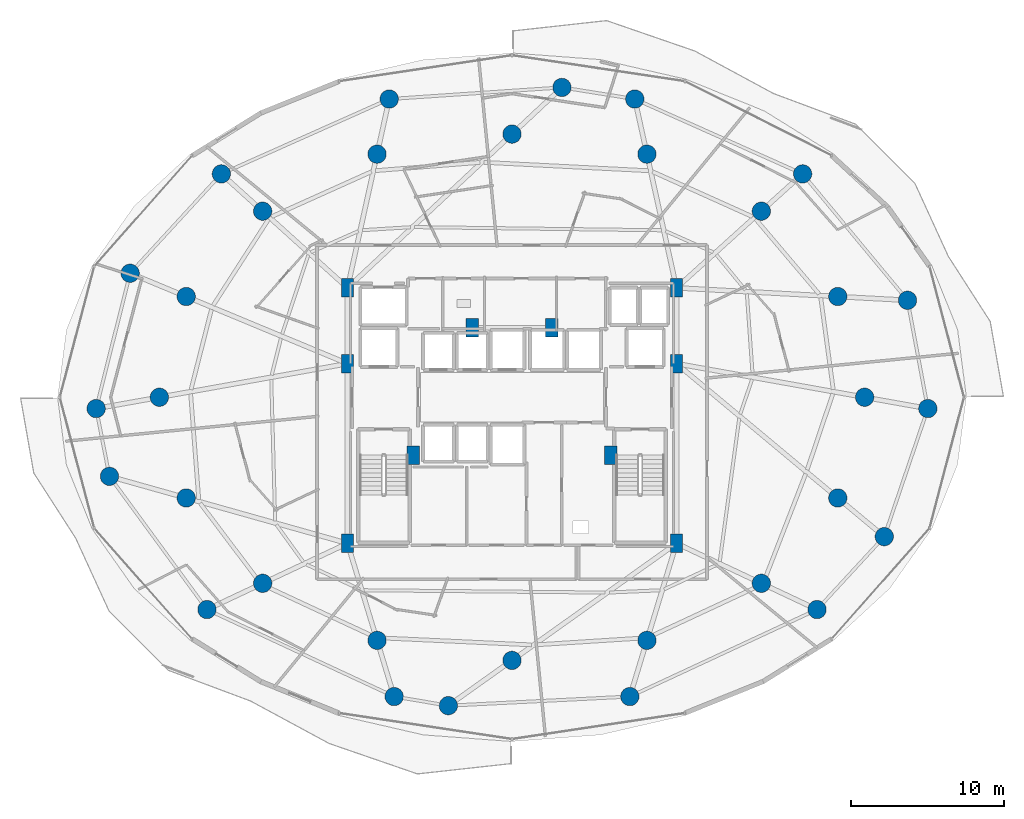
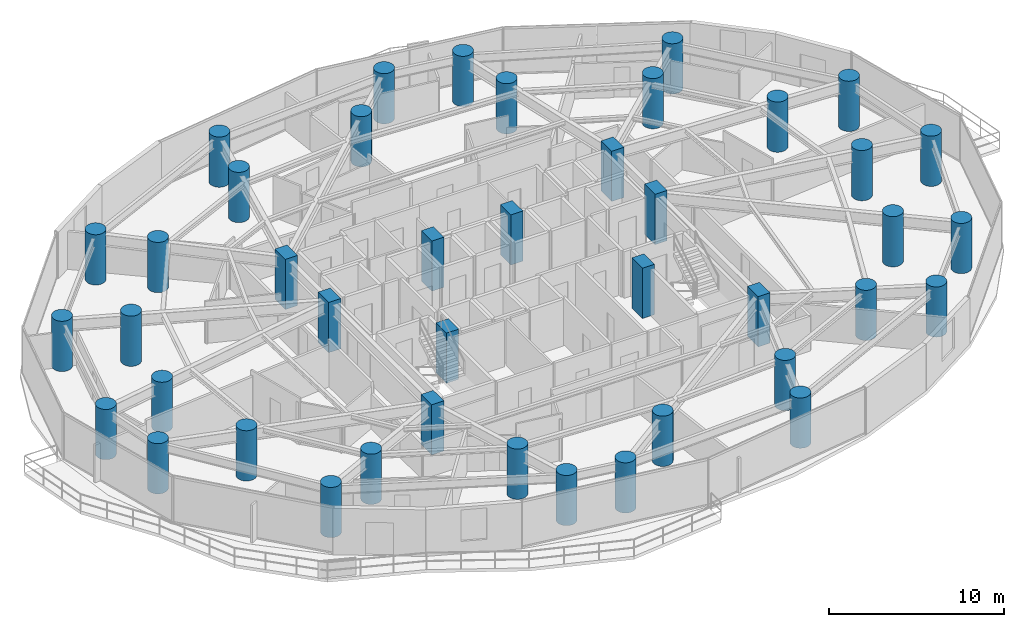
# One storey, part 1 of 33: 42 columns.
"""IFC4 building model written with IfcOpenShell, lengths in metres."""

from ifc_helpers import new_model, si_unit, direction, frame, origin, origin_2d, place, context, subcontext, project, spatial, rectangle, circle, extrude, material, material_profile, profile_set, type_object, element, save


model = new_model("IFC4")

# Units and contexts
model_context = context("Model", 3, precision=1e-05, world=origin(), true_north=direction((0.0, 1.0)))
body_context = subcontext(model_context, "Body", "Model", "MODEL_VIEW")
ifc_project = project(units=[si_unit("LENGTHUNIT", "METRE"), si_unit("AREAUNIT", "SQUARE_METRE"), si_unit("VOLUMEUNIT", "CUBIC_METRE"), si_unit("PLANEANGLEUNIT", "RADIAN"), si_unit("MASSUNIT", "GRAM", prefix="KILO")], contexts=[model_context])

# Site, building, storey
site_placement = place(None, origin())
site = spatial("IfcSite", under=ifc_project, at=site_placement, CompositionType="ELEMENT")
building_placement = place(site_placement, origin())
building = spatial("IfcBuilding", under=site, at=building_placement, Name="Vorneva Point Tower", CompositionType="ELEMENT")
storey_placement = place(building_placement, frame((0.0, 0.0, 59.0)))
storey = spatial("IfcBuildingStorey", under=building, at=storey_placement, Name="L15", CompositionType="ELEMENT", Elevation=59.0)

# Columns
ifc_material = material(Name="Concrete B60 (C50/60)", Category="concrete")
ifc_material_profile_1 = material_profile(ifc_material, circle(Radius=0.60009765625, at=origin_2d()), Name="RC-CIRC 1200")
ifc_profile_set_1 = profile_set([ifc_material_profile_1], Name="Concrete B60 (C50/60)")
column_type_1 = type_object("IfcColumnType", Name="COL-RC1200C", PredefinedType="COLUMN", material=ifc_profile_set_1)
for number, where, z_axis, x_axis, name in (
    (1, (61.050048828125, 26.0, 0.0), (0.0, 0.0, 1.0), (1.0, 0.0, 0.0), "L15 Perimeter Column P01"),
    (2, (59.29541015625, 32.582275390625, 0.0), (0.0, 0.0, 1.0), (0.923879532511, 0.382683432365, 0.0), "L15 Perimeter Column P02"),
    (3, (54.298828125, 38.162109375, 0.0), (0.0, 0.0, 1.0), (0.707106781187, 0.707106781187, 0.0), "L15 Perimeter Column P03"),
    (4, (46.82080078125, 41.890625, 0.0), (0.0, 0.0, 1.0), (0.382683432365, 0.923879532511, 0.0), "L15 Perimeter Column P04"),
    (5, (38.0, 43.199951171875, 0.0), (0.0, 0.0, 1.0), (0.0, 1.0, 0.0), "L15 Perimeter Column P05"),
    (6, (29.17919921875, 41.890625, 0.0), (0.0, 0.0, 1.0), (-0.382683432365, 0.923879532511, 0.0), "L15 Perimeter Column P06"),
    (7, (21.701171875, 38.162109375, 0.0), (0.0, 0.0, 1.0), (-0.707106781187, 0.707106781187, 0.0), "L15 Perimeter Column P07"),
    (8, (16.70458984375, 32.582275390625, 0.0), (0.0, 0.0, 1.0), (-0.923879532511, 0.382683432365, 0.0), "L15 Perimeter Column P08"),
    (9, (14.949951171875, 26.0, 0.0), (0.0, 0.0, 1.0), (-1.0, 0.0, 0.0), "L15 Perimeter Column P09"),
    (10, (16.70458984375, 19.417724609375, 0.0), (0.0, 0.0, 1.0), (-0.923879532511, -0.382683432365, 0.0), "L15 Perimeter Column P10"),
    (11, (21.701171875, 13.837890625, 0.0), (0.0, 0.0, 1.0), (-0.707106781187, -0.707106781187, 0.0), "L15 Perimeter Column P11"),
    (12, (29.17919921875, 10.109375, 0.0), (0.0, 0.0, 1.0), (-0.382683432365, -0.923879532511, 0.0), "L15 Perimeter Column P12"),
    (13, (38.0, 8.800048828125, 0.0), (0.0, 0.0, 1.0), (0.0, -1.0, 0.0), "L15 Perimeter Column P13"),
    (14, (46.82080078125, 10.109375, 0.0), (0.0, 0.0, 1.0), (0.382683432365, -0.923879532511, 0.0), "L15 Perimeter Column P14"),
    (15, (54.298828125, 13.837890625, 0.0), (0.0, 0.0, 1.0), (0.707106781187, -0.707106781187, 0.0), "L15 Perimeter Column P15"),
    (16, (59.29541015625, 19.417724609375, 0.0), (0.0, 0.0, 1.0), (0.923879532511, -0.382683432365, 0.0), "L15 Perimeter Column P16"),
    (17, (65.18212890625, 25.260986328125, 0.0), (0.0, 0.0, 1.0), (1.0, 0.0, 0.0), "L15 Outer Zone Column OP01"),
    (18, (63.8544921875, 32.336669921875, 0.0), (0.0, 0.0, 1.0), (0.923879532511, 0.382683432365, 0.0), "L15 Outer Zone Column OP02"),
    (19, (56.997314453125, 40.599853515625, 0.0), (0.0, 0.0, 1.0), (0.707106781187, 0.707106781187, 0.0), "L15 Outer Zone Column OP03"),
    (20, (46.026123046875, 45.49169921875, 0.0), (0.0, 0.0, 1.0), (0.382683432365, 0.923879532511, 0.0), "L15 Outer Zone Column OP04"),
    (21, (41.26513671875, 46.25244140625, 0.0), (0.0, 0.0, 1.0), (0.0, 1.0, 0.0), "L15 Outer Zone Column OP05"),
    (22, (29.973876953125, 45.49169921875, 0.0), (0.0, 0.0, 1.0), (-0.382683432365, 0.923879532511, 0.0), "L15 Outer Zone Column OP06"),
    (23, (19.002685546875, 40.599853515625, 0.0), (0.0, 0.0, 1.0), (-0.707106781187, 0.707106781187, 0.0), "L15 Outer Zone Column OP07"),
    (24, (13.0390625, 34.10546875, 0.0), (0.0, 0.0, 1.0), (-0.923879532511, 0.382683432365, 0.0), "L15 Outer Zone Column OP08"),
    (25, (10.81787109375, 25.260986328125, 0.0), (0.0, 0.0, 1.0), (-1.0, 0.0, 0.0), "L15 Outer Zone Column OP09"),
    (26, (11.68798828125, 20.82958984375, 0.0), (0.0, 0.0, 1.0), (-0.923879532511, -0.382683432365, 0.0), "L15 Outer Zone Column OP10"),
    (27, (18.061279296875, 12.124267578125, 0.0), (0.0, 0.0, 1.0), (-0.707106781187, -0.707106781187, 0.0), "L15 Outer Zone Column OP11"),
    (28, (30.296875, 6.435302734375, 0.0), (0.0, 0.0, 1.0), (-0.382683432365, -0.923879532511, 0.0), "L15 Outer Zone Column OP12"),
    (29, (33.84033203125, 5.83984375, 0.0), (0.0, 0.0, 1.0), (0.0, -1.0, 0.0), "L15 Outer Zone Column OP13"),
    (30, (45.703125, 6.435302734375, 0.0), (0.0, 0.0, 1.0), (0.382683432365, -0.923879532511, 0.0), "L15 Outer Zone Column OP14"),
    (31, (57.938720703125, 12.124267578125, 0.0), (0.0, 0.0, 1.0), (0.707106781187, -0.707106781187, 0.0), "L15 Outer Zone Column OP15"),
    (32, (62.3349609375, 16.886474609375, 0.0), (0.0, 0.0, 1.0), (0.923879532511, -0.382683432365, 0.0), "L15 Outer Zone Column OP16"),
):
    element("IfcColumn", number, at=place(storey_placement, frame(where, z_axis=z_axis, x_axis=x_axis)), inside=storey, type_object=column_type_1, Name=name, PredefinedType="COLUMN", context=body_context, shape_type="SweptSolid", body=[
        extrude(circle(Radius=0.60009765625, at=origin_2d()), origin(), (0.0, 0.0, 1.0), 3.5),
    ])
ifc_material_profile_2 = material_profile(ifc_material, rectangle(XDim=0.800048828125, YDim=1.199951171875, at=origin_2d()), Name="RC-PIL 1200x800")
ifc_profile_set_2 = profile_set([ifc_material_profile_2], Name="Concrete B60 (C50/60)")
column_type_2 = type_object("IfcColumnType", Name="PIL-RC1200x800", PredefinedType="PILASTER", material=ifc_profile_set_2)
for number, where, z_axis, x_axis, name in (
    (33, (27.25, 16.449951171875, 0.0), (0.0, 0.0, 1.0), (1.0, 0.0, 0.0), "L15 Core Pilaster CP1"),
    (34, (27.25, 28.199951171875, 0.0), (0.0, 0.0, 1.0), (1.0, 0.0, 0.0), "L15 Core Pilaster CP2"),
    (35, (27.25, 33.14990234375, 0.0), (0.0, 0.0, 1.0), (1.0, 0.0, 0.0), "L15 Core Pilaster CP3"),
    (36, (31.550048828125, 22.199951171875, 0.0), (0.0, 0.0, 1.0), (1.0, 0.0, 0.0), "L15 Core Pilaster CP4"),
    (37, (48.75, 33.14990234375, 0.0), (0.0, 0.0, 1.0), (1.0, 0.0, 0.0), "L15 Core Pilaster CP5"),
    (38, (48.75, 28.199951171875, 0.0), (0.0, 0.0, 1.0), (1.0, 0.0, 0.0), "L15 Core Pilaster CP6"),
    (39, (48.75, 16.449951171875, 0.0), (0.0, 0.0, 1.0), (1.0, 0.0, 0.0), "L15 Core Pilaster CP7"),
    (40, (44.449951171875, 22.199951171875, 0.0), (0.0, 0.0, 1.0), (1.0, 0.0, 0.0), "L15 Core Pilaster CP8"),
    (41, (35.39990234375, 30.550048828125, 0.0), (0.0, 0.0, 1.0), (1.0, 0.0, 0.0), "L15 Core Pilaster CP9"),
    (42, (40.60009765625, 30.550048828125, 0.0), (0.0, 0.0, 1.0), (1.0, 0.0, 0.0), "L15 Core Pilaster CP10"),
):
    element("IfcColumn", number, at=place(storey_placement, frame(where, z_axis=z_axis, x_axis=x_axis)), inside=storey, type_object=column_type_2, Name=name, PredefinedType="PILASTER", context=body_context, shape_type="SweptSolid", body=[
        extrude(rectangle(XDim=0.800048828125, YDim=1.199951171875, at=origin_2d()), origin(), (0.0, 0.0, 1.0), 3.5),
    ])

save(model, "model.ifc")
